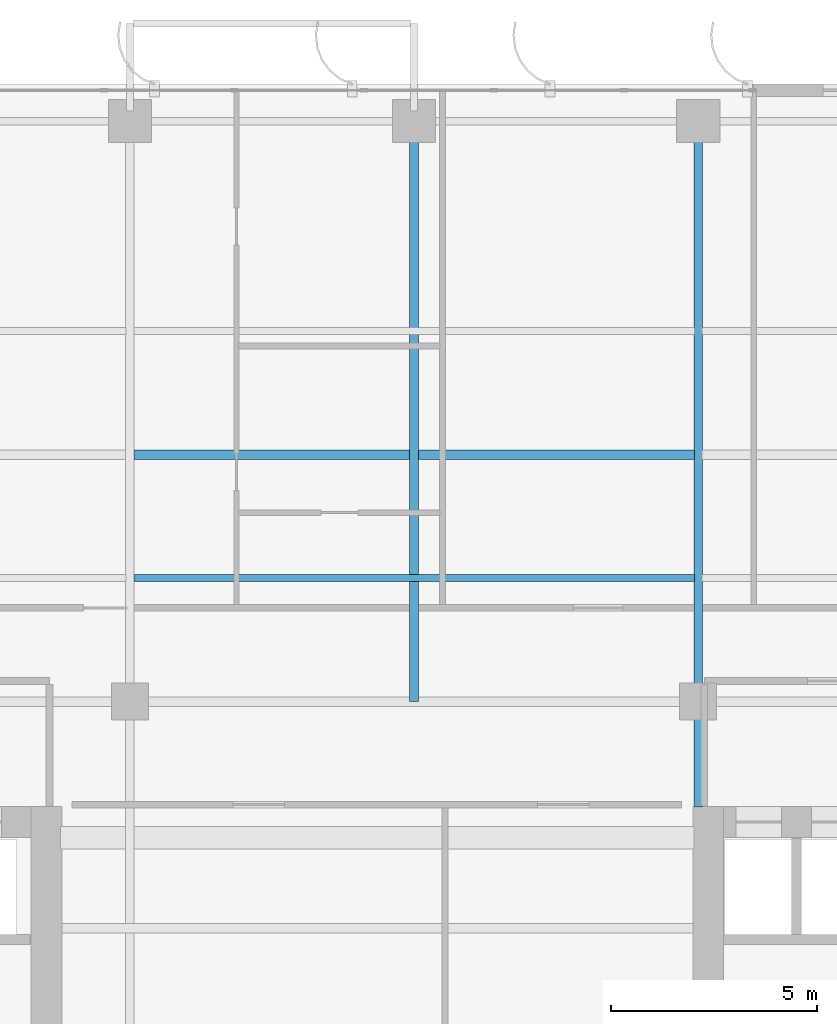
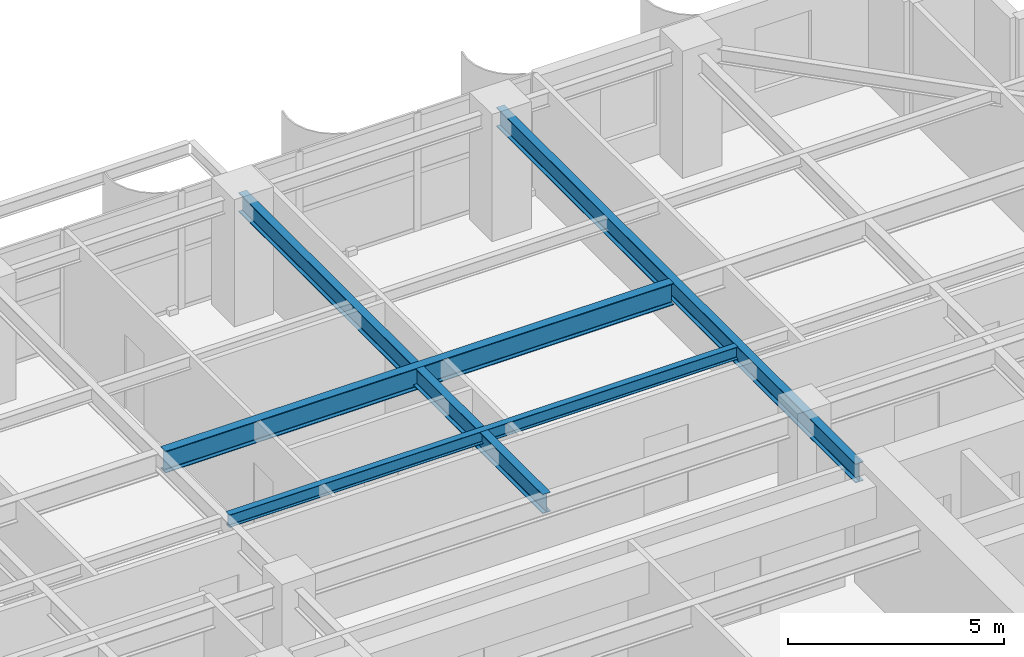
# One storey, part 11 of 25: 4 beams.
"""IFC4 building model written with IfcOpenShell, lengths in metres."""

from ifc_helpers import new_model, si_unit, direction, frame, origin, origin_2d, place, context, subcontext, project, spatial, i_section, extrude, source, transform, mapped, material, material_profile, profile_set, type_object, element, save


model = new_model("IFC4")

# Units and contexts
model_context = context("Model", 3, precision=1e-05, world=origin(), true_north=direction((0.0, 1.0)))
body_context = subcontext(model_context, "Body", "Model", "MODEL_VIEW")
ifc_project = project(units=[si_unit("LENGTHUNIT", "METRE"), si_unit("AREAUNIT", "SQUARE_METRE"), si_unit("VOLUMEUNIT", "CUBIC_METRE"), si_unit("PLANEANGLEUNIT", "RADIAN"), si_unit("MASSUNIT", "GRAM", prefix="KILO")], contexts=[model_context])

# Site, building, storey
site_placement = place(None, origin())
site = spatial("IfcSite", under=ifc_project, at=site_placement, CompositionType="ELEMENT")
building_placement = place(site_placement, origin())
building = spatial("IfcBuilding", under=site, at=building_placement, Name="Khoralis Quay Care Tower", CompositionType="ELEMENT")
storey_placement = place(building_placement, frame((0.0, 0.0, 134.10009765625)))
storey = spatial("IfcBuildingStorey", under=building, at=storey_placement, Name="L35", CompositionType="ELEMENT", Elevation=134.10009765625)

# Beams
ifc_material = material(Name="Steel S355", Category="steel")
ifc_material_profile_1 = material_profile(ifc_material, i_section(OverallWidth=0.22998046875, OverallDepth=0.616943359375, WebThickness=0.01318359375, FlangeThickness=0.022216796875, FilletRadius=0.01806640625, at=origin_2d()), Name="Steel S355")
ifc_profile_set_1 = profile_set([ifc_material_profile_1], Name="Steel S355")
beam_type_1 = type_object("IfcBeamType", Name="BM-W610X140", PredefinedType="BEAM", material=ifc_profile_set_1)
shared_shape_1 = source(origin(), body_context, "Body", "SweptSolid", [
    extrude(i_section(OverallWidth=0.22998046875, OverallDepth=0.616943359375, WebThickness=0.01318359375, FlangeThickness=0.022216796875, FilletRadius=0.01806640625, at=origin_2d()), origin(), (0.0, 0.0, 1.0), 13.61181640625),
])
beam_1_placement = place(storey_placement, frame((17.194091796875, 36.0, 3.031494140625), z_axis=(1.0, 0.0, 0.0), x_axis=(0.0, 1.0, 0.0)))
element("IfcBeam", 1, at=beam_1_placement, inside=storey, type_object=beam_type_1, Name="BM-TGCC-L35-360", PredefinedType="BEAM", context=body_context, shape_type="MappedRepresentation", body=[
    mapped(shared_shape_1, transform((0.0, 0.0, 0.0), scale=1.0)),
])
ifc_material_profile_2 = material_profile(ifc_material, i_section(OverallWidth=0.2119140625, OverallDepth=0.5439453125, WebThickness=0.01318359375, FlangeThickness=0.021240234375, FilletRadius=0.01611328125, at=origin_2d()), Name="Steel S355")
ifc_profile_set_2 = profile_set([ifc_material_profile_2], Name="Steel S355")
beam_type_2 = type_object("IfcBeamType", Name="BM-W530X123", PredefinedType="BEAM", material=ifc_profile_set_2)
shared_shape_2 = source(origin(), body_context, "Body", "SweptSolid", [
    extrude(i_section(OverallWidth=0.2119140625, OverallDepth=0.5439453125, WebThickness=0.01318359375, FlangeThickness=0.021240234375, FilletRadius=0.01611328125, at=origin_2d()), origin(), (0.0, 0.0, 1.0), 14.10009765625),
])
beam_2_placement = place(storey_placement, frame((24.0, 30.0, 3.06787109375), z_axis=(0.0, 1.0, 0.0), x_axis=(-1.0, 0.0, 0.0)))
element("IfcBeam", 2, at=beam_2_placement, inside=storey, type_object=beam_type_2, Name="BM-TGYN-L35-240", PredefinedType="BEAM", context=body_context, shape_type="MappedRepresentation", body=[
    mapped(shared_shape_2, transform((0.0, 0.0, 0.0), scale=1.0)),
])
shared_shape_3 = source(origin(), body_context, "Body", "SweptSolid", [
    extrude(i_section(OverallWidth=0.2119140625, OverallDepth=0.5439453125, WebThickness=0.01318359375, FlangeThickness=0.021240234375, FilletRadius=0.01611328125, at=origin_2d()), origin(), (0.0, 0.0, 1.0), 16.652099609375),
])
beam_3_placement = place(storey_placement, frame((30.89990234375, 27.447998046875, 3.06787109375), z_axis=(0.0, 1.0, 0.0), x_axis=(-1.0, 0.0, 0.0)))
element("IfcBeam", 3, at=beam_3_placement, inside=storey, type_object=beam_type_2, Name="BM-TGYN-L35-309", PredefinedType="BEAM", context=body_context, shape_type="MappedRepresentation", body=[
    mapped(shared_shape_3, transform((0.0, 0.0, 0.0), scale=1.0)),
])
ifc_material_profile_3 = material_profile(ifc_material, i_section(OverallWidth=0.1708984375, OverallDepth=0.35498046875, WebThickness=0.007080078125, FlangeThickness=0.01171875, FilletRadius=0.012939453125, at=origin_2d()), Name="Steel S355")
ifc_profile_set_3 = profile_set([ifc_material_profile_3], Name="Steel S355")
beam_type_3 = type_object("IfcBeamType", Name="BM-W360X51", PredefinedType="JOIST", material=ifc_profile_set_3)
shared_shape_4 = source(origin(), body_context, "Body", "SweptSolid", [
    extrude(i_section(OverallWidth=0.1708984375, OverallDepth=0.35498046875, WebThickness=0.007080078125, FlangeThickness=0.01171875, FilletRadius=0.012939453125, at=origin_2d()), origin(), (0.0, 0.0, 1.0), 13.61181640625),
])
beam_4_placement = place(storey_placement, frame((17.194091796875, 33.0, 3.162353515625), z_axis=(1.0, 0.0, 0.0), x_axis=(0.0, 1.0, 0.0)))
element("IfcBeam", 4, at=beam_4_placement, inside=storey, type_object=beam_type_3, Name="BM-TJS-L35-30", PredefinedType="JOIST", context=body_context, shape_type="MappedRepresentation", body=[
    mapped(shared_shape_4, transform((0.0, 0.0, 0.0), scale=1.0)),
])

save(model, "model.ifc")
